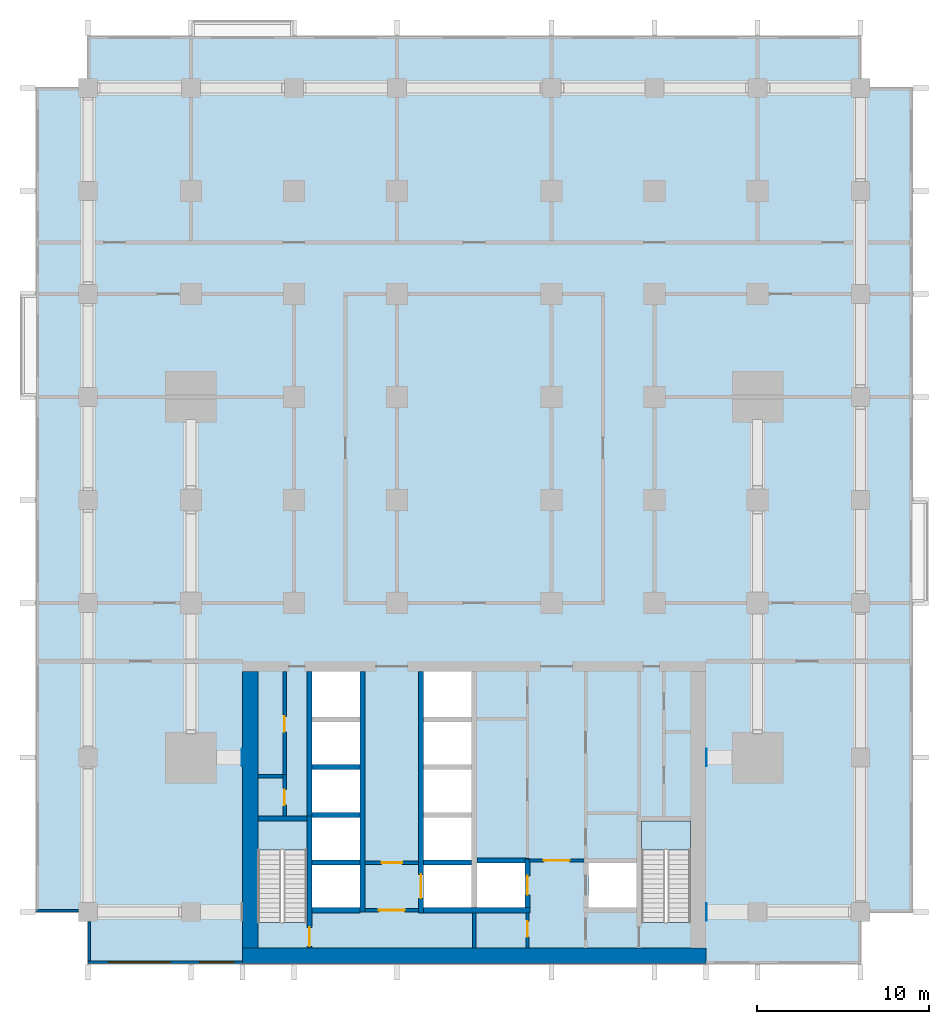
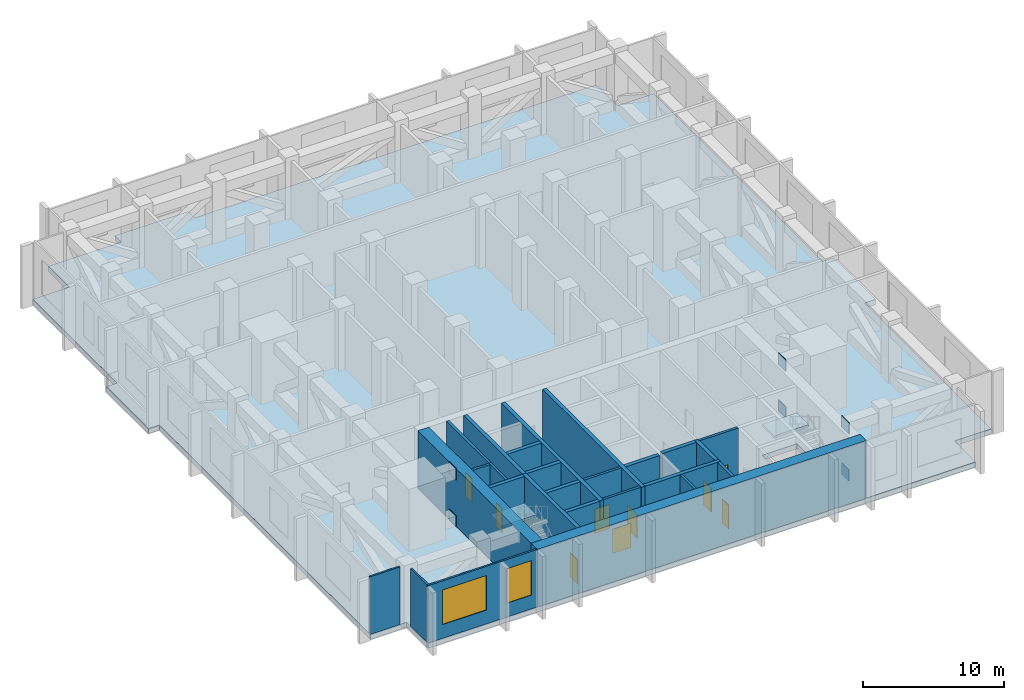
# One storey, part 2 of 13: 26 walls, 9 doors, 6 plates, 3 slabs, 2 windows, 11 openings, 2 elements without a shape of their own.
"""IFC4 building model written with IfcOpenShell, lengths in metres."""

from ifc_helpers import new_model, si_unit, direction, frame, frame_2d, origin, origin_2d, place, context, subcontext, project, spatial, polyline, rectangle, outline, extrude, material, layer, layer_set, type_object, element, fill, aggregate, save


model = new_model("IFC4")

# Units and contexts
model_context = context("Model", 3, precision=1e-05, world=origin(), true_north=direction((0.0, 1.0)))
body_context = subcontext(model_context, "Body", "Model", "MODEL_VIEW")
ifc_project = project(units=[si_unit("LENGTHUNIT", "METRE"), si_unit("AREAUNIT", "SQUARE_METRE"), si_unit("VOLUMEUNIT", "CUBIC_METRE"), si_unit("PLANEANGLEUNIT", "RADIAN"), si_unit("MASSUNIT", "GRAM", prefix="KILO")], contexts=[model_context])

# Site, building, storey
site_placement = place(None, origin())
site = spatial("IfcSite", under=ifc_project, at=site_placement, CompositionType="ELEMENT")
building_placement = place(site_placement, origin())
building = spatial("IfcBuilding", under=site, at=building_placement, Name="Finial Court Residences", CompositionType="ELEMENT")
storey_placement = place(building_placement, frame((0.0, 0.0, 75.699951171875)))
storey = spatial("IfcBuildingStorey", under=building, at=storey_placement, Name="L18", CompositionType="ELEMENT", Elevation=75.699951171875)

# Plates
ifc_material_1 = material(Name="Steel ASTM A572 Gr 50", Category="steel")
ifc_layer_1 = layer(ifc_material_1, 0.050048828125)
ifc_layer_set_1 = layer_set([ifc_layer_1], Name="Cast-in plate 50")
plate_type = type_object("IfcPlateType", Name="Cast-in plate 50", PredefinedType="USERDEFINED", material=ifc_layer_set_1)
for number, where, z_axis, x_axis, name in (
    (1, (13.52490234375, -22.5, -0.050048828125), (0.0, 0.0, 1.0), (1.0, 0.0, 0.0), "S:TR:L18:25:CP1B"),
    (2, (13.52490234375, -22.5, 4.049072265625), (0.0, 0.0, 1.0), (1.0, 0.0, 0.0), "S:TR:L18:25:CP1T"),
    (3, (-13.52490234375, -13.5, -0.050048828125), (0.0, 0.0, 1.0), (1.0, 0.0, 0.0), "S:TR:L18:26:CP0B"),
    (4, (-13.52490234375, -13.5, 4.049072265625), (0.0, 0.0, 1.0), (1.0, 0.0, 0.0), "S:TR:L18:26:CP0T"),
    (5, (13.52490234375, -13.5, -0.050048828125), (0.0, 0.0, 1.0), (1.0, 0.0, 0.0), "S:TR:L18:30:CP0B"),
    (6, (13.52490234375, -13.5, 4.049072265625), (0.0, 0.0, 1.0), (1.0, 0.0, 0.0), "S:TR:L18:30:CP0T"),
):
    element("IfcPlate", number, at=place(storey_placement, frame(where, z_axis=z_axis, x_axis=x_axis)), inside=storey, type_object=plate_type, Name=name, ObjectType="Cast-in plate", PredefinedType="USERDEFINED", context=body_context, shape_type="SweptSolid", body=[
        extrude(rectangle(XDim=0.050048828125, YDim=1.0, at=origin_2d()), origin(), (0.0, 0.0, 1.0), 1.0),
    ])

# Stair, slab
ifc_material_2 = material(Name="Concrete C50/60", Category="concrete")
stair_type = type_object("IfcStairType", Name="Exit stair 32 risers of 168.8 mm", PredefinedType="HALF_TURN_STAIR", material=ifc_material_2)
stair_1_placement = place(storey_placement, origin())
stair_1 = element("IfcStair", 7, at=stair_1_placement, inside=storey, type_object=stair_type, Name="L18 Exit stair ST-1", PredefinedType="HALF_TURN_STAIR")
ifc_layer_2 = layer(ifc_material_2, 0.199951171875)
ifc_layer_set_2 = layer_set([ifc_layer_2], Name="Exit stair landing")
slab_type_1 = type_object("IfcSlabType", Name="Exit stair landing", PredefinedType="LANDING", material=ifc_layer_set_2)
slab_1_placement = place(storey_placement, frame((0.0, 0.0, 2.5)))
slab_1 = element("IfcSlab", 8, at=slab_1_placement, type_object=slab_type_1, Name="ST-1 landing 1", PredefinedType="LANDING", context=body_context, shape_type="SweptSolid", body=[
    extrude(outline(polyline([(-9.75, -18.89990234375), (-9.75, -17.199951171875), (-12.60009765625, -17.199951171875), (-12.60009765625, -18.89990234375), (-9.75, -18.89990234375)])), origin(), (0.0, 0.0, 1.0), 0.199951171875),
])
aggregate(stair_1, [slab_1])

stair_2_placement = place(storey_placement, origin())
stair_2 = element("IfcStair", 9, at=stair_2_placement, inside=storey, type_object=stair_type, Name="L18 Exit stair ST-2", PredefinedType="HALF_TURN_STAIR")
slab_2_placement = place(storey_placement, frame((0.0, 0.0, 2.5)))
slab_2 = element("IfcSlab", 10, at=slab_2_placement, type_object=slab_type_1, Name="ST-2 landing 1", PredefinedType="LANDING", context=body_context, shape_type="SweptSolid", body=[
    extrude(outline(polyline([(12.60009765625, -18.89990234375), (12.60009765625, -17.199951171875), (9.75, -17.199951171875), (9.75, -18.89990234375), (12.60009765625, -18.89990234375)])), origin(), (0.0, 0.0, 1.0), 0.199951171875),
])
aggregate(stair_2, [slab_2])

# Slab
ifc_material_3 = material(Name="Concrete C40/50", Category="concrete")
ifc_layer_3 = layer(ifc_material_3, 0.449951171875)
ifc_layer_set_3 = layer_set([ifc_layer_3], Name="Flat plate slab 450 Concrete C40/50")
slab_type_2 = type_object("IfcSlabType", Name="Flat plate slab 450 Concrete C40/50", PredefinedType="FLOOR", material=ifc_layer_set_3)
slab_3_placement = place(storey_placement, frame((0.0, 0.0, -0.449951171875)))
element("IfcSlab", 11, at=slab_3_placement, inside=storey, type_object=slab_type_2, Name="S:SLAB:L18", PredefinedType="FLOOR", context=body_context, shape_type="SweptSolid", body=[
    extrude(outline(polyline([(25.5, -4.5), (25.5, -22.5), (22.5, -22.5), (22.5, -25.5), (-22.5, -25.5), (-22.5, -22.5), (-25.5, -22.5), (-25.5, 7.5), (-26.39990234375, 7.5), (-26.39990234375, 13.5), (-25.5, 13.5), (-25.5, 25.5), (-22.5, 25.5), (-22.5, 28.5), (-16.5, 28.5), (-16.5, 29.39990234375), (-10.5, 29.39990234375), (-10.5, 28.5), (22.5, 28.5), (22.5, 25.5), (25.5, 25.5), (25.5, 1.5), (26.39990234375, 1.5), (26.39990234375, -4.5), (25.5, -4.5)]), holes=[polyline([(-6.64990234375, -19.77001953125), (-9.449951171875, -19.77001953125), (-9.449951171875, -22.25), (-6.64990234375, -22.25), (-6.64990234375, -19.77001953125)]), polyline([(-9.75, -17.199951171875), (-12.60009765625, -17.199951171875), (-12.60009765625, -23.09912109375), (-9.75, -23.09912109375), (-9.75, -17.199951171875)]), polyline([(-6.64990234375, -19.469970703125), (-6.64990234375, -16.989990234375), (-9.449951171875, -16.989990234375), (-9.449951171875, -19.469970703125), (-6.64990234375, -19.469970703125)]), polyline([(-6.64990234375, -16.68994140625), (-6.64990234375, -14.2099609375), (-9.449951171875, -14.2099609375), (-9.449951171875, -16.68994140625), (-6.64990234375, -16.68994140625)]), polyline([(-6.64990234375, -13.909912109375), (-6.64990234375, -11.429931640625), (-9.449951171875, -11.429931640625), (-9.449951171875, -13.909912109375), (-6.64990234375, -13.909912109375)]), polyline([(-6.64990234375, -11.1298828125), (-6.64990234375, -8.5), (-9.449951171875, -8.5), (-9.449951171875, -11.1298828125), (-6.64990234375, -11.1298828125)]), polyline([(-0.14990234375, -11.1298828125), (-0.14990234375, -8.5), (-2.949951171875, -8.5), (-2.949951171875, -11.1298828125), (-0.14990234375, -11.1298828125)]), polyline([(-0.14990234375, -19.77001953125), (-2.949951171875, -19.77001953125), (-2.949951171875, -22.25), (-0.14990234375, -22.25), (-0.14990234375, -19.77001953125)]), polyline([(2.949951171875, -22.25), (2.949951171875, -19.64990234375), (0.14990234375, -19.64990234375), (0.14990234375, -22.25), (2.949951171875, -22.25)]), polyline([(9.449951171875, -22.25), (9.449951171875, -19.64990234375), (6.64990234375, -19.64990234375), (6.64990234375, -22.25), (9.449951171875, -22.25)]), polyline([(12.60009765625, -17.199951171875), (9.75, -17.199951171875), (9.75, -23.09912109375), (12.60009765625, -23.09912109375), (12.60009765625, -17.199951171875)]), polyline([(-0.14990234375, -19.469970703125), (-0.14990234375, -16.989990234375), (-2.949951171875, -16.989990234375), (-2.949951171875, -19.469970703125), (-0.14990234375, -19.469970703125)]), polyline([(-0.14990234375, -16.68994140625), (-0.14990234375, -14.2099609375), (-2.949951171875, -14.2099609375), (-2.949951171875, -16.68994140625), (-0.14990234375, -16.68994140625)]), polyline([(-0.14990234375, -13.909912109375), (-0.14990234375, -11.429931640625), (-2.949951171875, -11.429931640625), (-2.949951171875, -13.909912109375), (-0.14990234375, -13.909912109375)])]), origin(), (0.0, 0.0, 1.0), 0.449951171875),
])

# Walls
ifc_material_4 = material(Name="Concrete C80/95", Category="concrete")
ifc_layer_4 = layer(ifc_material_4, 0.89990234375)
ifc_layer_set_4 = layer_set([ifc_layer_4], Name="Core outer wall 900 Concrete C80/95")
wall_type_1 = type_object("IfcWallType", Name="Core outer wall 900 Concrete C80/95", PredefinedType="SHEAR", material=ifc_layer_set_4)
wall_1_placement = place(storey_placement, frame((-13.050048828125, -24.60009765625, 0.0), z_axis=(0.0, 0.0, 1.0), x_axis=(0.0, 1.0, 0.0)))
element("IfcWall", 12, at=wall_1_placement, inside=storey, type_object=wall_type_1, Name="Core outer wall L18-03", PredefinedType="SHEAR", context=body_context, shape_type="SweptSolid", body=[
    extrude(rectangle(XDim=16.10009765625, YDim=0.89990234375, at=frame_2d((8.050048828125, 0.0))), origin(), (0.0, 0.0, 1.0), 5.0),
])
ifc_layer_5 = layer(ifc_material_4, 0.89990234375)
ifc_layer_set_5 = layer_set([ifc_layer_5], Name="Core south facade wall 900 Concrete C80/95")
wall_type_2 = type_object("IfcWallType", Name="Core south facade wall 900 Concrete C80/95", PredefinedType="SHEAR", material=ifc_layer_set_5)
wall_2_placement = place(storey_placement, frame((-13.5, -25.050048828125, 0.0), z_axis=(0.0, 0.0, 1.0), x_axis=(1.0, 0.0, 0.0)))
element("IfcWall", 13, at=wall_2_placement, inside=storey, type_object=wall_type_2, Name="Core outer wall L18-01", PredefinedType="SHEAR", context=body_context, shape_type="SweptSolid", body=[
    extrude(rectangle(XDim=27.0, YDim=0.89990234375, at=frame_2d((13.5, 0.0))), origin(), (0.0, 0.0, 1.0), 5.0),
])

# Wall, opening, door
ifc_material_5 = material(Name="Fire-rated gypsum board partition")
ifc_layer_6 = layer(ifc_material_5, 0.199951171875)
ifc_layer_set_6 = layer_set([ifc_layer_6], Name="Firefighting lobby wall 200 EI 120")
wall_type_3 = type_object("IfcWallType", Name="Firefighting lobby wall 200 EI 120", PredefinedType="PARTITIONING", material=ifc_layer_set_6)
wall_3_placement = place(storey_placement, frame((6.39990234375, -19.5, 0.0), z_axis=(0.0, 0.0, 1.0), x_axis=(-1.0, 0.0, 0.0)))
wall_3 = element("IfcWall", 14, at=wall_3_placement, inside=storey, type_object=wall_type_3, Name="Core partition L18-09", PredefinedType="PARTITIONING", context=body_context, shape_type="SweptSolid", body=[
    extrude(rectangle(XDim=3.199951171875, YDim=0.199951171875, at=frame_2d((1.60009765625, 0.0))), origin(), (0.0, 0.0, 1.0), 5.0),
])
opening_1_placement = place(wall_3_placement, frame((0.85009765625, 0.0, 0.0)))
opening_1 = element("IfcOpeningElement", 15, at=opening_1_placement, cuts=wall_3, Name="Opening L18-C02", PredefinedType="OPENING", context=body_context, shape_type="SweptSolid", body=[
    extrude(rectangle(XDim=1.5, YDim=2.10009765625, at=frame_2d((0.75, 1.050048828125))), frame((0.0, 0.10986328125, 0.0), z_axis=(0.0, -1.0, 0.0), x_axis=(1.0, 0.0, 0.0)), (0.0, 0.0, 1.0), 0.219970703125),
])
ifc_material_6 = material(Name="Steel fire door", Category="steel")
door_type_1 = type_object("IfcDoorType", Name="Firefighting lobby door 1500 x 2100 EI 90", OperationType="DOUBLE_DOOR_SINGLE_SWING", PredefinedType="DOOR", material=ifc_material_6)
door_1_placement = place(opening_1_placement, origin())
door_1 = element("IfcDoor", 16, at=door_1_placement, inside=storey, type_object=door_type_1, Name="Firefighting lobby door L18-C02", OperationType="DOUBLE_DOOR_SINGLE_SWING", OverallHeight=2.10009765625, OverallWidth=1.5, PredefinedType="DOOR", context=body_context, shape_type="SweptSolid", body=[
    extrude(rectangle(XDim=1.5, YDim=2.10009765625, at=frame_2d((0.75, 1.050048828125))), frame((0.0, 0.02490234375, 0.0), z_axis=(0.0, -1.0, 0.0), x_axis=(1.0, 0.0, 0.0)), (0.0, 0.0, 1.0), 0.050048828125),
])
fill(opening_1, door_1)

wall_4_placement = place(storey_placement, frame((3.10009765625, -24.60009765625, 0.0), z_axis=(0.0, 0.0, 1.0), x_axis=(0.0, 1.0, 0.0)))
wall_4 = element("IfcWall", 17, at=wall_4_placement, inside=storey, type_object=wall_type_3, Name="Core partition L18-31", PredefinedType="PARTITIONING", context=body_context, shape_type="SweptSolid", body=[
    extrude(rectangle(XDim=2.050048828125, YDim=0.199951171875, at=frame_2d((1.02490234375, 0.0))), origin(), (0.0, 0.0, 1.0), 5.0),
])
opening_2_placement = place(wall_4_placement, frame((0.64990234375, 0.0, 0.0)))
opening_2 = element("IfcOpeningElement", 18, at=opening_2_placement, cuts=wall_4, Name="Opening L18-C15", PredefinedType="OPENING", context=body_context, shape_type="SweptSolid", body=[
    extrude(rectangle(XDim=0.89990234375, YDim=2.10009765625, at=frame_2d((0.449951171875, 1.050048828125))), frame((0.0, 0.10986328125, 0.0), z_axis=(0.0, -1.0, 0.0), x_axis=(1.0, 0.0, 0.0)), (0.0, 0.0, 1.0), 0.219970703125),
])
door_type_2 = type_object("IfcDoorType", Name="Riser room door 900 x 2100 EI 90", OperationType="NOTDEFINED", PredefinedType="DOOR", material=ifc_material_6)
door_2_placement = place(opening_2_placement, origin())
door_2 = element("IfcDoor", 19, at=door_2_placement, inside=storey, type_object=door_type_2, Name="Riser room door L18-C15", OperationType="SINGLE_SWING_LEFT", OverallHeight=2.10009765625, OverallWidth=0.89990234375, PredefinedType="DOOR", context=body_context, shape_type="SweptSolid", body=[
    extrude(rectangle(XDim=0.89990234375, YDim=2.10009765625, at=frame_2d((0.449951171875, 1.050048828125))), frame((0.0, 0.02490234375, 0.0), z_axis=(0.0, -1.0, 0.0), x_axis=(1.0, 0.0, 0.0)), (0.0, 0.0, 1.0), 0.050048828125),
])
fill(opening_2, door_2)

# Walls
ifc_layer_7 = layer(ifc_material_4, 0.300048828125)
ifc_layer_set_7 = layer_set([ifc_layer_7], Name="Lift shaft and stair wall 300 Concrete C80/95")
wall_type_4 = type_object("IfcWallType", Name="Lift shaft and stair wall 300 Concrete C80/95", PredefinedType="SHEAR", material=ifc_layer_set_7)
wall_5_placement = place(storey_placement, frame((-9.449951171875, -22.39990234375, 0.0), z_axis=(0.0, 0.0, 1.0), x_axis=(1.0, 0.0, 0.0)))
element("IfcWall", 20, at=wall_5_placement, inside=storey, type_object=wall_type_4, Name="Core wall L18-01", PredefinedType="SHEAR", context=body_context, shape_type="SweptSolid", body=[
    extrude(rectangle(XDim=2.800048828125, YDim=0.300048828125, at=frame_2d((1.39990234375, 0.0))), origin(), (0.0, 0.0, 1.0), 5.0),
])
wall_6_placement = place(storey_placement, frame((-2.949951171875, -22.39990234375, 0.0), z_axis=(0.0, 0.0, 1.0), x_axis=(1.0, 0.0, 0.0)))
element("IfcWall", 21, at=wall_6_placement, inside=storey, type_object=wall_type_4, Name="Core wall L18-03", PredefinedType="SHEAR", context=body_context, shape_type="SweptSolid", body=[
    extrude(rectangle(XDim=6.199951171875, YDim=0.300048828125, at=frame_2d((3.10009765625, 0.0))), origin(), (0.0, 0.0, 1.0), 5.0),
])
for number, where, z_axis, x_axis, name in (
    (22, (-9.449951171875, -19.6201171875, 0.0), (0.0, 0.0, 1.0), (1.0, 0.0, 0.0), "Core wall L18-05"),
    (23, (-2.949951171875, -19.6201171875, 0.0), (0.0, 0.0, 1.0), (1.0, 0.0, 0.0), "Core wall L18-07"),
):
    element("IfcWall", number, at=place(storey_placement, frame(where, z_axis=z_axis, x_axis=x_axis)), inside=storey, type_object=wall_type_4, Name=name, PredefinedType="SHEAR", context=body_context, shape_type="SweptSolid", body=[
        extrude(rectangle(XDim=2.800048828125, YDim=0.300048828125, at=frame_2d((1.39990234375, 0.0))), origin(), (0.0, 0.0, 1.0), 5.0),
    ])
wall_7_placement = place(storey_placement, frame((0.14990234375, -19.5, 0.0), z_axis=(0.0, 0.0, 1.0), x_axis=(1.0, 0.0, 0.0)))
element("IfcWall", 24, at=wall_7_placement, inside=storey, type_object=wall_type_4, Name="Core wall L18-08", PredefinedType="SHEAR", context=body_context, shape_type="SweptSolid", body=[
    extrude(rectangle(XDim=3.050048828125, YDim=0.300048828125, at=frame_2d((1.52490234375, 0.0))), origin(), (0.0, 0.0, 1.0), 5.0),
])
wall_8_placement = place(storey_placement, frame((-12.60009765625, -17.050048828125, 0.0), z_axis=(0.0, 0.0, 1.0), x_axis=(1.0, 0.0, 0.0)))
element("IfcWall", 25, at=wall_8_placement, inside=storey, type_object=wall_type_4, Name="Core wall L18-11", PredefinedType="SHEAR", context=body_context, shape_type="SweptSolid", body=[
    extrude(rectangle(XDim=2.85009765625, YDim=0.300048828125, at=frame_2d((1.425048828125, 0.0))), origin(), (0.0, 0.0, 1.0), 5.0),
])
for number, where, z_axis, x_axis, name in (
    (26, (-9.449951171875, -16.840087890625, 0.0), (0.0, 0.0, 1.0), (1.0, 0.0, 0.0), "Core wall L18-13"),
    (27, (-9.449951171875, -14.06005859375, 0.0), (0.0, 0.0, 1.0), (1.0, 0.0, 0.0), "Core wall L18-17"),
):
    element("IfcWall", number, at=place(storey_placement, frame(where, z_axis=z_axis, x_axis=x_axis)), inside=storey, type_object=wall_type_4, Name=name, PredefinedType="SHEAR", context=body_context, shape_type="SweptSolid", body=[
        extrude(rectangle(XDim=2.800048828125, YDim=0.300048828125, at=frame_2d((1.39990234375, 0.0))), origin(), (0.0, 0.0, 1.0), 5.0),
    ])

# Wall, opening, door
wall_9_placement = place(storey_placement, frame((-9.60009765625, -24.60009765625, 0.0), z_axis=(0.0, 0.0, 1.0), x_axis=(0.0, 1.0, 0.0)))
wall_9 = element("IfcWall", 28, at=wall_9_placement, inside=storey, type_object=wall_type_4, Name="Core wall L18-25", PredefinedType="SHEAR", context=body_context, shape_type="SweptSolid", body=[
    extrude(rectangle(XDim=7.7001953125, YDim=0.300048828125, at=frame_2d((3.85009765625, 0.0))), origin(), (0.0, 0.0, 1.0), 5.0),
])
opening_3_placement = place(wall_9_placement, frame((0.10009765625, 0.0, 0.0)))
opening_3 = element("IfcOpeningElement", 29, at=opening_3_placement, cuts=wall_9, Name="Opening L18-C18", PredefinedType="OPENING", context=body_context, shape_type="SweptSolid", body=[
    extrude(rectangle(XDim=1.10009765625, YDim=2.10009765625, at=frame_2d((0.550048828125, 1.050048828125))), frame((0.0, 0.159912109375, 0.0), z_axis=(0.0, -1.0, 0.0), x_axis=(1.0, 0.0, 0.0)), (0.0, 0.0, 1.0), 0.320068359375),
])
door_type_3 = type_object("IfcDoorType", Name="Stair door 1100 x 2100 EI 90", OperationType="NOTDEFINED", PredefinedType="DOOR", material=ifc_material_6)
door_3_placement = place(opening_3_placement, origin())
door_3 = element("IfcDoor", 30, at=door_3_placement, inside=storey, type_object=door_type_3, Name="Stair door L18-C18", OperationType="SINGLE_SWING_LEFT", OverallHeight=2.10009765625, OverallWidth=1.10009765625, PredefinedType="DOOR", context=body_context, shape_type="SweptSolid", body=[
    extrude(rectangle(XDim=1.10009765625, YDim=2.10009765625, at=frame_2d((0.550048828125, 1.050048828125))), frame((0.0, 0.02490234375, 0.0), z_axis=(0.0, -1.0, 0.0), x_axis=(1.0, 0.0, 0.0)), (0.0, 0.0, 1.0), 0.050048828125),
])
fill(opening_3, door_3)

# Walls
wall_10_placement = place(storey_placement, frame((-9.60009765625, -17.199951171875, 0.0), z_axis=(0.0, 0.0, 1.0), x_axis=(0.0, 1.0, 0.0)))
element("IfcWall", 31, at=wall_10_placement, inside=storey, type_object=wall_type_4, Name="Core wall L18-26", PredefinedType="SHEAR", context=body_context, shape_type="SweptSolid", body=[
    extrude(rectangle(XDim=8.699951171875, YDim=0.300048828125, at=frame_2d((4.35009765625, 0.0))), origin(), (0.0, 0.0, 1.0), 5.0),
])
wall_11_placement = place(storey_placement, frame((-6.5, -22.5, 0.0), z_axis=(0.0, 0.0, 1.0), x_axis=(0.0, 1.0, 0.0)))
element("IfcWall", 32, at=wall_11_placement, inside=storey, type_object=wall_type_4, Name="Core wall L18-27", PredefinedType="SHEAR", context=body_context, shape_type="SweptSolid", body=[
    extrude(rectangle(XDim=14.0, YDim=0.300048828125, at=frame_2d((7.0, 0.0))), origin(), (0.0, 0.0, 1.0), 5.0),
])

# Wall, opening, door
wall_12_placement = place(storey_placement, frame((-3.10009765625, -22.550048828125, 0.0), z_axis=(0.0, 0.0, 1.0), x_axis=(0.0, 1.0, 0.0)))
wall_12 = element("IfcWall", 33, at=wall_12_placement, inside=storey, type_object=wall_type_4, Name="Core wall L18-28", PredefinedType="SHEAR", context=body_context, shape_type="SweptSolid", body=[
    extrude(rectangle(XDim=14.050048828125, YDim=0.300048828125, at=frame_2d((7.02490234375, 0.0))), origin(), (0.0, 0.0, 1.0), 5.0),
])
opening_4_placement = place(wall_12_placement, frame((0.840087890625, 0.0, 0.0)))
opening_4 = element("IfcOpeningElement", 34, at=opening_4_placement, cuts=wall_12, Name="Opening L18-LD03", PredefinedType="OPENING", context=body_context, shape_type="SweptSolid", body=[
    extrude(rectangle(XDim=1.39990234375, YDim=2.10009765625, at=frame_2d((0.699951171875, 1.050048828125))), frame((0.0, 0.159912109375, 0.0), z_axis=(0.0, -1.0, 0.0), x_axis=(1.0, 0.0, 0.0)), (0.0, 0.0, 1.0), 0.320068359375),
])
ifc_material_7 = material(Name="Stainless steel lift door", Category="steel")
door_type_4 = type_object("IfcDoorType", Name="Lift landing door 1400 x 2100 EI 90", OperationType="DOUBLE_DOOR_SLIDING", PredefinedType="DOOR", material=ifc_material_7)
door_4_placement = place(opening_4_placement, origin())
door_4 = element("IfcDoor", 35, at=door_4_placement, inside=storey, type_object=door_type_4, Name="Lift landing door SV1 L18", OperationType="DOUBLE_DOOR_SLIDING", OverallHeight=2.10009765625, OverallWidth=1.39990234375, PredefinedType="DOOR", context=body_context, shape_type="SweptSolid", body=[
    extrude(rectangle(XDim=1.39990234375, YDim=2.10009765625, at=frame_2d((0.699951171875, 1.050048828125))), frame((0.0, 0.02490234375, 0.0), z_axis=(0.0, -1.0, 0.0), x_axis=(1.0, 0.0, 0.0)), (0.0, 0.0, 1.0), 0.050048828125),
])
fill(opening_4, door_4)

wall_13_placement = place(storey_placement, frame((3.10009765625, -22.25, 0.0), z_axis=(0.0, 0.0, 1.0), x_axis=(0.0, 1.0, 0.0)))
wall_13 = element("IfcWall", 36, at=wall_13_placement, inside=storey, type_object=wall_type_4, Name="Core wall L18-32", PredefinedType="SHEAR", context=body_context, shape_type="SweptSolid", body=[
    extrude(rectangle(XDim=2.85009765625, YDim=0.300048828125, at=frame_2d((1.425048828125, 0.0))), origin(), (0.0, 0.0, 1.0), 5.0),
])
opening_5_placement = place(wall_13_placement, frame((0.75, 0.0, 0.0)))
opening_5 = element("IfcOpeningElement", 37, at=opening_5_placement, cuts=wall_13, Name="Opening L18-LD01", PredefinedType="OPENING", context=body_context, shape_type="SweptSolid", body=[
    extrude(rectangle(XDim=1.10009765625, YDim=2.10009765625, at=frame_2d((0.550048828125, 1.050048828125))), frame((0.0, 0.159912109375, 0.0), z_axis=(0.0, -1.0, 0.0), x_axis=(1.0, 0.0, 0.0)), (0.0, 0.0, 1.0), 0.320068359375),
])
door_type_5 = type_object("IfcDoorType", Name="Lift landing door 1100 x 2100 EI 90", OperationType="DOUBLE_DOOR_SLIDING", PredefinedType="DOOR", material=ifc_material_7)
door_5_placement = place(opening_5_placement, origin())
door_5 = element("IfcDoor", 38, at=door_5_placement, inside=storey, type_object=door_type_5, Name="Lift landing door FF1 L18", OperationType="DOUBLE_DOOR_SLIDING", OverallHeight=2.10009765625, OverallWidth=1.10009765625, PredefinedType="DOOR", context=body_context, shape_type="SweptSolid", body=[
    extrude(rectangle(XDim=1.10009765625, YDim=2.10009765625, at=frame_2d((0.550048828125, 1.050048828125))), frame((0.0, 0.02490234375, 0.0), z_axis=(0.0, -1.0, 0.0), x_axis=(1.0, 0.0, 0.0)), (0.0, 0.0, 1.0), 0.050048828125),
])
fill(opening_5, door_5)

# Wall, openings, windows
ifc_material_8 = material(Name="Natural limestone", Category="masonry")
ifc_layer_8 = layer(ifc_material_8, 0.14990234375)
ifc_layer_set_8 = layer_set([ifc_layer_8], Name="Plant storey wall, limestone clad 150")
wall_type_5 = type_object("IfcWallType", Name="Plant storey wall, limestone clad 150", PredefinedType="SOLIDWALL", material=ifc_layer_set_8)
wall_14_placement = place(storey_placement, frame((-13.5, -25.425048828125, 0.0), z_axis=(0.0, 0.0, 1.0), x_axis=(-1.0, 0.0, 0.0)))
wall_14 = element("IfcWall", 39, at=wall_14_placement, inside=storey, type_object=wall_type_5, Name="E-L18-PWS3", PredefinedType="SOLIDWALL", context=body_context, shape_type="SweptSolid", body=[
    extrude(rectangle(XDim=9.0, YDim=0.14990234375, at=frame_2d((4.5, 0.0))), origin(), (0.0, 0.0, 1.0), 5.0),
])
opening_6_placement = place(wall_14_placement, frame((4.199951171875, 0.0, 1.199951171875)))
opening_6 = element("IfcOpeningElement", 40, at=opening_6_placement, cuts=wall_14, Name="Opening WE18-16", PredefinedType="OPENING", context=body_context, shape_type="SweptSolid", body=[
    extrude(rectangle(XDim=3.60009765625, YDim=3.0, at=frame_2d((1.800048828125, 1.5))), frame((0.0, 0.0849609375, 0.0), z_axis=(0.0, -1.0, 0.0), x_axis=(1.0, 0.0, 0.0)), (0.0, 0.0, 1.0), 0.169921875),
])
opening_7_placement = place(wall_14_placement, frame((0.5, 0.0, 1.199951171875)))
opening_7 = element("IfcOpeningElement", 41, at=opening_7_placement, cuts=wall_14, Name="Opening WE18-17", PredefinedType="OPENING", context=body_context, shape_type="SweptSolid", body=[
    extrude(rectangle(XDim=2.0, YDim=3.0, at=frame_2d((1.0, 1.5))), frame((0.0, 0.0849609375, 0.0), z_axis=(0.0, -1.0, 0.0), x_axis=(1.0, 0.0, 0.0)), (0.0, 0.0, 1.0), 0.169921875),
])
ifc_material_9 = material(Name="Bronze anodised aluminium", Category="aluminium")
window_type_1 = type_object("IfcWindowType", Name="Plant louvre 2000 x 3000", PartitioningType="SINGLE_PANEL", PredefinedType="WINDOW", material=ifc_material_9)
window_1_placement = place(opening_7_placement, origin())
window_1 = element("IfcWindow", 42, at=window_1_placement, inside=storey, type_object=window_type_1, Name="E-L18-PWS3-W2", OverallHeight=3.0, OverallWidth=2.0, PartitioningType="SINGLE_PANEL", PredefinedType="WINDOW", context=body_context, shape_type="SweptSolid", body=[
    extrude(rectangle(XDim=2.0, YDim=3.0, at=frame_2d((1.0, 1.5))), frame((0.0, 0.030029296875, 0.0), z_axis=(0.0, -1.0, 0.0), x_axis=(1.0, 0.0, 0.0)), (0.0, 0.0, 1.0), 0.06005859375),
])
fill(opening_7, window_1)
window_type_2 = type_object("IfcWindowType", Name="Plant louvre 3600 x 3000", PartitioningType="SINGLE_PANEL", PredefinedType="WINDOW", material=ifc_material_9)
window_2_placement = place(opening_6_placement, origin())
window_2 = element("IfcWindow", 43, at=window_2_placement, inside=storey, type_object=window_type_2, Name="E-L18-PWS3-W1", OverallHeight=3.0, OverallWidth=3.60009765625, PartitioningType="SINGLE_PANEL", PredefinedType="WINDOW", context=body_context, shape_type="SweptSolid", body=[
    extrude(rectangle(XDim=3.60009765625, YDim=3.0, at=frame_2d((1.800048828125, 1.5))), frame((0.0, 0.030029296875, 0.0), z_axis=(0.0, -1.0, 0.0), x_axis=(1.0, 0.0, 0.0)), (0.0, 0.0, 1.0), 0.06005859375),
])
fill(opening_6, window_2)

# Walls
wall_15_placement = place(storey_placement, frame((-22.425048828125, -25.35009765625, 0.0), z_axis=(0.0, 0.0, 1.0), x_axis=(0.0, 1.0, 0.0)))
element("IfcWall", 44, at=wall_15_placement, inside=storey, type_object=wall_type_5, Name="E-L18-PWW6", PredefinedType="SOLIDWALL", context=body_context, shape_type="SweptSolid", body=[
    extrude(rectangle(XDim=2.300048828125, YDim=0.14990234375, at=frame_2d((1.14990234375, 0.0))), origin(), (0.0, 0.0, 1.0), 5.0),
])
wall_16_placement = place(storey_placement, frame((-23.050048828125, -22.425048828125, 0.0), z_axis=(0.0, 0.0, 1.0), x_axis=(-1.0, 0.0, 0.0)))
element("IfcWall", 45, at=wall_16_placement, inside=storey, type_object=wall_type_5, Name="E-L18-PWS7", PredefinedType="SOLIDWALL", context=body_context, shape_type="SweptSolid", body=[
    extrude(rectangle(XDim=2.449951171875, YDim=0.14990234375, at=frame_2d((1.22509765625, 0.0))), origin(), (0.0, 0.0, 1.0), 5.0),
])

# Wall, opening, door
ifc_layer_9 = layer(ifc_material_5, 0.199951171875)
ifc_layer_set_9 = layer_set([ifc_layer_9], Name="Refuge area wall 200 EI 120")
wall_type_6 = type_object("IfcWallType", Name="Refuge area wall 200 EI 120", PredefinedType="PARTITIONING", material=ifc_layer_set_9)
wall_17_placement = place(storey_placement, frame((-3.25, -19.6201171875, 0.0), z_axis=(0.0, 0.0, 1.0), x_axis=(-1.0, 0.0, 0.0)))
wall_17 = element("IfcWall", 46, at=wall_17_placement, inside=storey, type_object=wall_type_6, Name="Core partition L18-06", PredefinedType="PARTITIONING", context=body_context, shape_type="SweptSolid", body=[
    extrude(rectangle(XDim=3.10009765625, YDim=0.199951171875, at=frame_2d((1.550048828125, 0.0))), origin(), (0.0, 0.0, 1.0), 5.0),
])
opening_8_placement = place(wall_17_placement, frame((0.949951171875, 0.0, 0.0)))
opening_8 = element("IfcOpeningElement", 47, at=opening_8_placement, cuts=wall_17, Name="Opening L18-C06", PredefinedType="OPENING", context=body_context, shape_type="SweptSolid", body=[
    extrude(rectangle(XDim=1.199951171875, YDim=2.10009765625, at=frame_2d((0.60009765625, 1.050048828125))), frame((0.0, 0.10986328125, 0.0), z_axis=(0.0, -1.0, 0.0), x_axis=(1.0, 0.0, 0.0)), (0.0, 0.0, 1.0), 0.219970703125),
])
door_type_6 = type_object("IfcDoorType", Name="Refuge area door 1200 x 2100 EI 90", OperationType="NOTDEFINED", PredefinedType="DOOR", material=ifc_material_6)
door_6_placement = place(opening_8_placement, origin())
door_6 = element("IfcDoor", 48, at=door_6_placement, inside=storey, type_object=door_type_6, Name="Refuge area door L18-C06", OperationType="SINGLE_SWING_LEFT", OverallHeight=2.10009765625, OverallWidth=1.199951171875, PredefinedType="DOOR", context=body_context, shape_type="SweptSolid", body=[
    extrude(rectangle(XDim=1.199951171875, YDim=2.10009765625, at=frame_2d((0.60009765625, 1.050048828125))), frame((0.0, 0.02490234375, 0.0), z_axis=(0.0, -1.0, 0.0), x_axis=(1.0, 0.0, 0.0)), (0.0, 0.0, 1.0), 0.050048828125),
])
fill(opening_8, door_6)

# Wall
ifc_layer_10 = layer(ifc_material_5, 0.199951171875)
ifc_layer_set_10 = layer_set([ifc_layer_10], Name="Riser room wall 200 EI 120")
wall_type_7 = type_object("IfcWallType", Name="Riser room wall 200 EI 120", PredefinedType="PARTITIONING", material=ifc_layer_set_10)
wall_18_placement = place(storey_placement, frame((-12.60009765625, -14.60009765625, 0.0), z_axis=(0.0, 0.0, 1.0), x_axis=(1.0, 0.0, 0.0)))
element("IfcWall", 49, at=wall_18_placement, inside=storey, type_object=wall_type_7, Name="Core partition L18-16", PredefinedType="PARTITIONING", context=body_context, shape_type="SweptSolid", body=[
    extrude(rectangle(XDim=1.4501953125, YDim=0.199951171875, at=frame_2d((0.72509765625, 0.0))), origin(), (0.0, 0.0, 1.0), 5.0),
])

# Wall, opening, door
wall_19_placement = place(storey_placement, frame((-11.050048828125, -14.699951171875, 0.0), z_axis=(0.0, 0.0, 1.0), x_axis=(0.0, 1.0, 0.0)))
wall_19 = element("IfcWall", 50, at=wall_19_placement, inside=storey, type_object=wall_type_7, Name="Core partition L18-24", PredefinedType="PARTITIONING", context=body_context, shape_type="SweptSolid", body=[
    extrude(rectangle(XDim=6.199951171875, YDim=0.199951171875, at=frame_2d((3.10009765625, 0.0))), origin(), (0.0, 0.0, 1.0), 5.0),
])
opening_9_placement = place(wall_19_placement, frame((2.699951171875, 0.0, 0.0)))
opening_9 = element("IfcOpeningElement", 51, at=opening_9_placement, cuts=wall_19, Name="Opening L18-C07", PredefinedType="OPENING", context=body_context, shape_type="SweptSolid", body=[
    extrude(rectangle(XDim=0.89990234375, YDim=2.10009765625, at=frame_2d((0.449951171875, 1.050048828125))), frame((0.0, 0.10986328125, 0.0), z_axis=(0.0, -1.0, 0.0), x_axis=(1.0, 0.0, 0.0)), (0.0, 0.0, 1.0), 0.219970703125),
])
door_7_placement = place(opening_9_placement, origin())
door_7 = element("IfcDoor", 52, at=door_7_placement, inside=storey, type_object=door_type_2, Name="Riser room door L18-C07", OperationType="SINGLE_SWING_LEFT", OverallHeight=2.10009765625, OverallWidth=0.89990234375, PredefinedType="DOOR", context=body_context, shape_type="SweptSolid", body=[
    extrude(rectangle(XDim=0.89990234375, YDim=2.10009765625, at=frame_2d((0.449951171875, 1.050048828125))), frame((0.0, 0.02490234375, 0.0), z_axis=(0.0, -1.0, 0.0), x_axis=(1.0, 0.0, 0.0)), (0.0, 0.0, 1.0), 0.050048828125),
])
fill(opening_9, door_7)

# Wall
wall_20_placement = place(storey_placement, frame((0.0, -24.60009765625, 0.0), z_axis=(0.0, 0.0, 1.0), x_axis=(0.0, 1.0, 0.0)))
element("IfcWall", 53, at=wall_20_placement, inside=storey, type_object=wall_type_7, Name="Core partition L18-29", PredefinedType="PARTITIONING", context=body_context, shape_type="SweptSolid", body=[
    extrude(rectangle(XDim=2.050048828125, YDim=0.199951171875, at=frame_2d((1.02490234375, 0.0))), origin(), (0.0, 0.0, 1.0), 5.0),
])

# Wall, opening, door
ifc_layer_11 = layer(ifc_material_5, 0.199951171875)
ifc_layer_set_11 = layer_set([ifc_layer_11], Name="Stair passage wall 200 EI 180")
wall_type_8 = type_object("IfcWallType", Name="Stair passage wall 200 EI 180", PredefinedType="PARTITIONING", material=ifc_layer_set_11)
wall_21_placement = place(storey_placement, frame((-3.25, -22.39990234375, 0.0), z_axis=(0.0, 0.0, 1.0), x_axis=(-1.0, 0.0, 0.0)))
wall_21 = element("IfcWall", 54, at=wall_21_placement, inside=storey, type_object=wall_type_8, Name="Core partition L18-02", PredefinedType="PARTITIONING", context=body_context, shape_type="SweptSolid", body=[
    extrude(rectangle(XDim=3.10009765625, YDim=0.199951171875, at=frame_2d((1.550048828125, 0.0))), origin(), (0.0, 0.0, 1.0), 5.0),
])
opening_10_placement = place(wall_21_placement, frame((0.800048828125, 0.0, 0.0)))
opening_10 = element("IfcOpeningElement", 55, at=opening_10_placement, cuts=wall_21, Name="Opening L18-C05", PredefinedType="OPENING", context=body_context, shape_type="SweptSolid", body=[
    extrude(rectangle(XDim=1.5, YDim=2.10009765625, at=frame_2d((0.75, 1.050048828125))), frame((0.0, 0.10986328125, 0.0), z_axis=(0.0, -1.0, 0.0), x_axis=(1.0, 0.0, 0.0)), (0.0, 0.0, 1.0), 0.219970703125),
])
door_type_7 = type_object("IfcDoorType", Name="Lift lobby door 1500 x 2100 EI 60", OperationType="DOUBLE_DOOR_SINGLE_SWING", PredefinedType="DOOR", material=ifc_material_6)
door_8_placement = place(opening_10_placement, origin())
door_8 = element("IfcDoor", 56, at=door_8_placement, inside=storey, type_object=door_type_7, Name="Lift lobby door L18-C05", OperationType="DOUBLE_DOOR_SINGLE_SWING", OverallHeight=2.10009765625, OverallWidth=1.5, PredefinedType="DOOR", context=body_context, shape_type="SweptSolid", body=[
    extrude(rectangle(XDim=1.5, YDim=2.10009765625, at=frame_2d((0.75, 1.050048828125))), frame((0.0, 0.02490234375, 0.0), z_axis=(0.0, -1.0, 0.0), x_axis=(1.0, 0.0, 0.0)), (0.0, 0.0, 1.0), 0.050048828125),
])
fill(opening_10, door_8)

wall_22_placement = place(storey_placement, frame((-11.050048828125, -16.89990234375, 0.0), z_axis=(0.0, 0.0, 1.0), x_axis=(0.0, 1.0, 0.0)))
wall_22 = element("IfcWall", 57, at=wall_22_placement, inside=storey, type_object=wall_type_8, Name="Core partition L18-23", PredefinedType="PARTITIONING", context=body_context, shape_type="SweptSolid", body=[
    extrude(rectangle(XDim=2.39990234375, YDim=0.199951171875, at=frame_2d((1.199951171875, 0.0))), origin(), (0.0, 0.0, 1.0), 5.0),
])
opening_11_placement = place(wall_22_placement, frame((0.625, 0.0, 0.0)))
opening_11 = element("IfcOpeningElement", 58, at=opening_11_placement, cuts=wall_22, Name="Opening L18-C16", PredefinedType="OPENING", context=body_context, shape_type="SweptSolid", body=[
    extrude(rectangle(XDim=0.89990234375, YDim=2.10009765625, at=frame_2d((0.449951171875, 1.050048828125))), frame((0.0, 0.10986328125, 0.0), z_axis=(0.0, -1.0, 0.0), x_axis=(1.0, 0.0, 0.0)), (0.0, 0.0, 1.0), 0.219970703125),
])
door_type_8 = type_object("IfcDoorType", Name="Core room door 900 x 2100 EI 60", OperationType="NOTDEFINED", PredefinedType="DOOR", material=ifc_material_6)
door_9_placement = place(opening_11_placement, origin())
door_9 = element("IfcDoor", 59, at=door_9_placement, inside=storey, type_object=door_type_8, Name="Core room door L18-C16", OperationType="SINGLE_SWING_RIGHT", OverallHeight=2.10009765625, OverallWidth=0.89990234375, PredefinedType="DOOR", context=body_context, shape_type="SweptSolid", body=[
    extrude(rectangle(XDim=0.89990234375, YDim=2.10009765625, at=frame_2d((0.449951171875, 1.050048828125))), frame((0.0, 0.02490234375, 0.0), z_axis=(0.0, -1.0, 0.0), x_axis=(1.0, 0.0, 0.0)), (0.0, 0.0, 1.0), 0.050048828125),
])
fill(opening_11, door_9)

save(model, "model.ifc")
